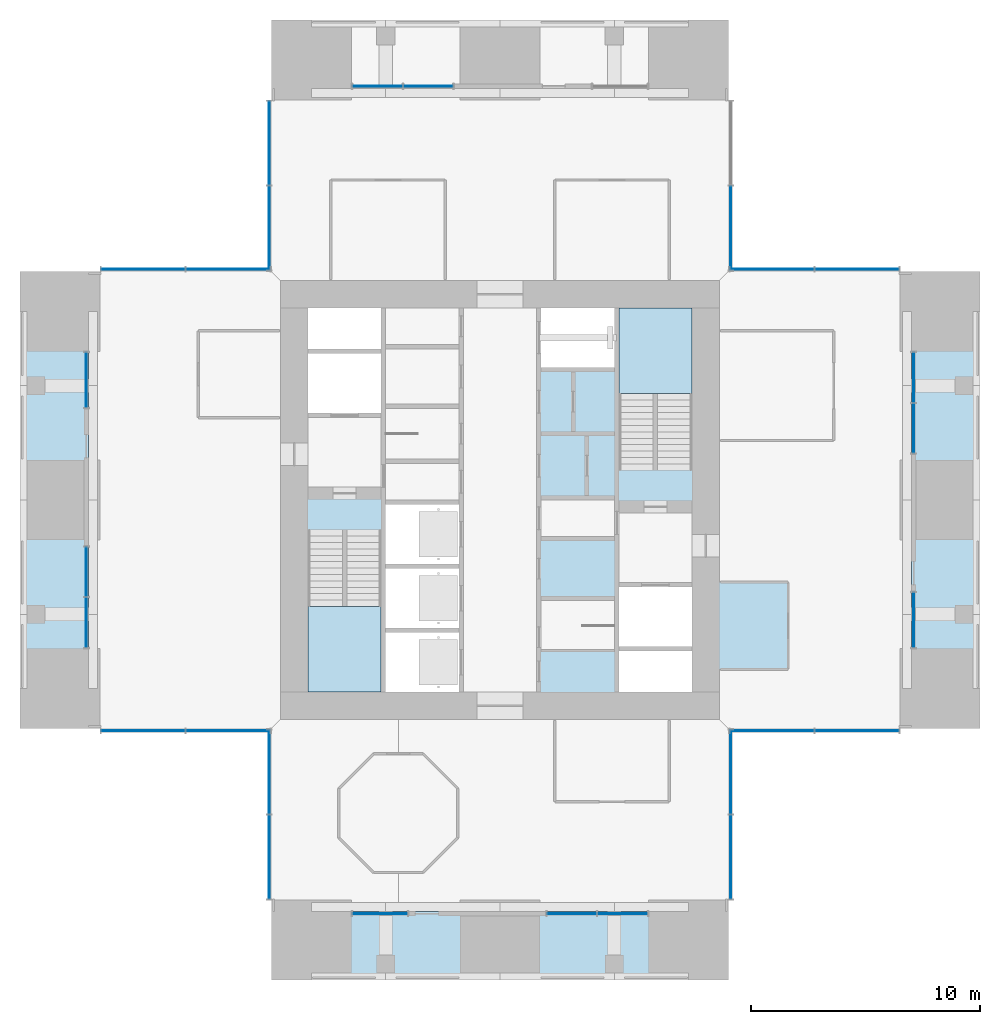
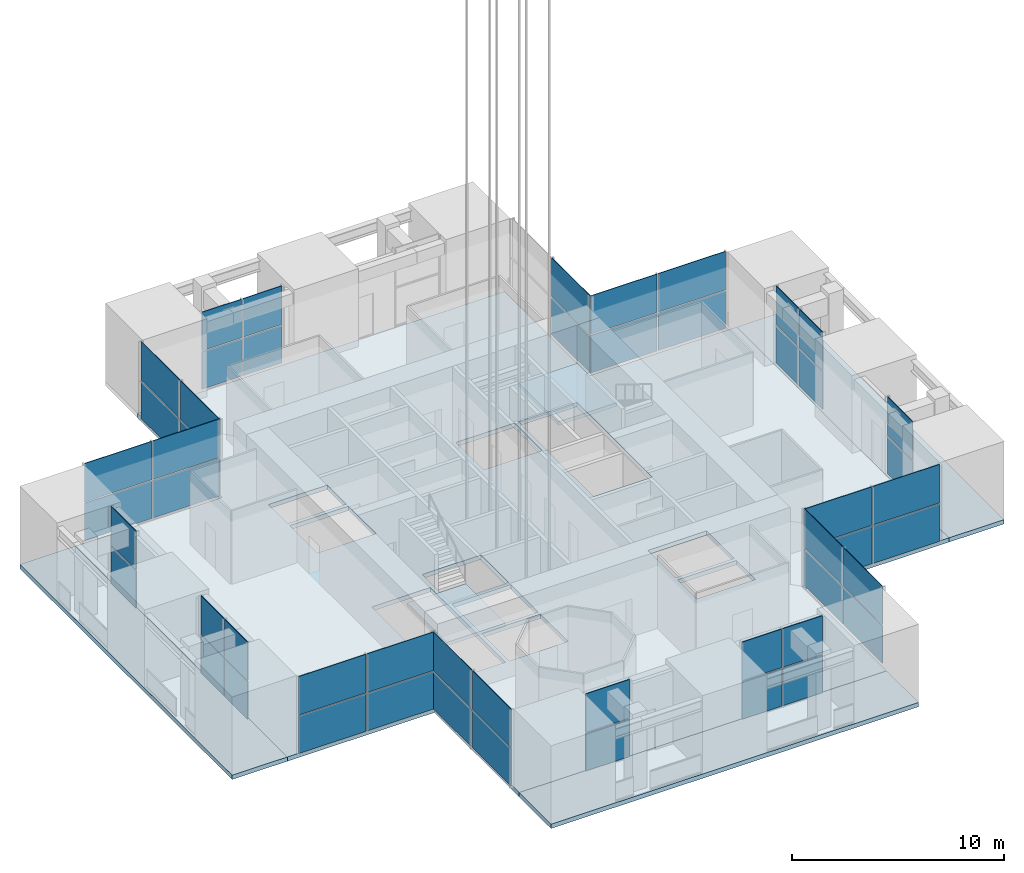
# One storey, part 4 of 17: 52 plates, 6 slabs, 17 elements without a shape of their own.
"""IFC4 building model written with IfcOpenShell, lengths in metres."""

from ifc_helpers import new_model, si_unit, direction, frame, origin, origin_2d, place, context, subcontext, project, spatial, polyline, rectangle, outline, extrude, material, layer, layer_set, type_object, element, aggregate, save


model = new_model("IFC4")

# Units and contexts
model_context = context("Model", 3, precision=1e-05, world=origin(), true_north=direction((0.0, 1.0)))
body_context = subcontext(model_context, "Body", "Model", "MODEL_VIEW")
ifc_project = project(units=[si_unit("LENGTHUNIT", "METRE"), si_unit("AREAUNIT", "SQUARE_METRE"), si_unit("VOLUMEUNIT", "CUBIC_METRE"), si_unit("PLANEANGLEUNIT", "RADIAN"), si_unit("MASSUNIT", "GRAM", prefix="KILO")], contexts=[model_context])

# Site, building, storey
site_placement = place(None, origin())
site = spatial("IfcSite", under=ifc_project, at=site_placement, CompositionType="ELEMENT")
building_placement = place(site_placement, origin())
building = spatial("IfcBuilding", under=site, at=building_placement, Name="Svetlomir Tower", CompositionType="ELEMENT")
storey_placement = place(building_placement, frame((0.0, 0.0, 239.5)))
storey = spatial("IfcBuildingStorey", under=building, at=storey_placement, Name="L57", CompositionType="ELEMENT", Elevation=239.5)

# Curtain wall, plates
ifc_material_1 = material(Name="Bronze anodised aluminium curtain wall", Category="aluminium")
curtain_wall_type = type_object("IfcCurtainWallType", Name="CURTAIN WALL CW2 SKY LOBBY", PredefinedType="NOTDEFINED", material=ifc_material_1)
curtain_wall_1_placement = place(storey_placement, origin())
curtain_wall_1 = element("IfcCurtainWall", 1, at=curtain_wall_1_placement, inside=storey, type_object=curtain_wall_type, Name="Curtain wall CW2 L57", PredefinedType="NOTDEFINED")
ifc_material_2 = material(Name="Tinted double glazed unit", Category="glass")
ifc_layer_1 = layer(ifc_material_2, 0.035888671875)
ifc_layer_set_1 = layer_set([ifc_layer_1], Name="Tinted double glazed unit")
plate_type = type_object("IfcPlateType", Name="CW2 GLAZED PANEL 36", PredefinedType="CURTAIN_PANEL", material=ifc_layer_set_1)
plate_1_placement = place(storey_placement, frame((15.75, 2.89990234375, 0.06494140625), z_axis=(0.0, 0.0, 1.0), x_axis=(1.0, 0.0, 0.0)))
plate_1 = element("IfcPlate", 2, at=plate_1_placement, type_object=plate_type, Name="CW2 panel 1.1", PredefinedType="CURTAIN_PANEL", context=body_context, shape_type="SweptSolid", body=[
    extrude(rectangle(XDim=2.3701171875, YDim=0.035888671875, at=origin_2d()), origin(), (0.0, 0.0, 1.0), 2.152587890625),
])
plate_2_placement = place(storey_placement, frame((15.75, 2.89990234375, 2.28271484375), z_axis=(0.0, 0.0, 1.0), x_axis=(1.0, 0.0, 0.0)))
plate_2 = element("IfcPlate", 3, at=plate_2_placement, type_object=plate_type, Name="CW2 panel 1.2", PredefinedType="CURTAIN_PANEL", context=body_context, shape_type="SweptSolid", body=[
    extrude(rectangle(XDim=2.3701171875, YDim=0.035888671875, at=origin_2d()), origin(), (0.0, 0.0, 1.0), 2.217529296875),
])
aggregate(curtain_wall_1, [plate_1, plate_2])

curtain_wall_2_placement = place(storey_placement, origin())
curtain_wall_2 = element("IfcCurtainWall", 4, at=curtain_wall_2_placement, inside=storey, type_object=curtain_wall_type, Name="Curtain wall CW2 L57", PredefinedType="NOTDEFINED")
plate_3_placement = place(storey_placement, frame((24.141357421875, 2.89990234375, 0.06494140625), z_axis=(0.0, 0.0, 1.0), x_axis=(1.0, 0.0, 0.0)))
plate_3 = element("IfcPlate", 5, at=plate_3_placement, type_object=plate_type, Name="CW2 panel 1.1", PredefinedType="CURTAIN_PANEL", context=body_context, shape_type="SweptSolid", body=[
    extrude(rectangle(XDim=2.152587890625, YDim=0.035888671875, at=origin_2d()), origin(), (0.0, 0.0, 1.0), 2.152587890625),
])
plate_4_placement = place(storey_placement, frame((24.141357421875, 2.89990234375, 2.28271484375), z_axis=(0.0, 0.0, 1.0), x_axis=(1.0, 0.0, 0.0)))
plate_4 = element("IfcPlate", 6, at=plate_4_placement, type_object=plate_type, Name="CW2 panel 1.2", PredefinedType="CURTAIN_PANEL", context=body_context, shape_type="SweptSolid", body=[
    extrude(rectangle(XDim=2.152587890625, YDim=0.035888671875, at=origin_2d()), origin(), (0.0, 0.0, 1.0), 2.217529296875),
])
plate_5_placement = place(storey_placement, frame((26.358642578125, 2.89990234375, 0.06494140625), z_axis=(0.0, 0.0, 1.0), x_axis=(1.0, 0.0, 0.0)))
plate_5 = element("IfcPlate", 7, at=plate_5_placement, type_object=plate_type, Name="CW2 panel 2.1", PredefinedType="CURTAIN_PANEL", context=body_context, shape_type="SweptSolid", body=[
    extrude(rectangle(XDim=2.152587890625, YDim=0.035888671875, at=origin_2d()), origin(), (0.0, 0.0, 1.0), 2.152587890625),
])
plate_6_placement = place(storey_placement, frame((26.358642578125, 2.89990234375, 2.28271484375), z_axis=(0.0, 0.0, 1.0), x_axis=(1.0, 0.0, 0.0)))
plate_6 = element("IfcPlate", 8, at=plate_6_placement, type_object=plate_type, Name="CW2 panel 2.2", PredefinedType="CURTAIN_PANEL", context=body_context, shape_type="SweptSolid", body=[
    extrude(rectangle(XDim=2.152587890625, YDim=0.035888671875, at=origin_2d()), origin(), (0.0, 0.0, 1.0), 2.217529296875),
])
aggregate(curtain_wall_2, [plate_3, plate_4, plate_5, plate_6])

curtain_wall_3_placement = place(storey_placement, origin())
curtain_wall_3 = element("IfcCurtainWall", 9, at=curtain_wall_3_placement, inside=storey, type_object=curtain_wall_type, Name="Curtain wall CW2 L57", PredefinedType="NOTDEFINED")
plate_7_placement = place(storey_placement, frame((31.10009765625, 5.391357421875, 0.06494140625), z_axis=(0.0, 0.0, 1.0), x_axis=(0.0, 1.0, 0.0)))
plate_7 = element("IfcPlate", 10, at=plate_7_placement, type_object=plate_type, Name="CW2 panel 1.1", PredefinedType="CURTAIN_PANEL", context=body_context, shape_type="SweptSolid", body=[
    extrude(rectangle(XDim=3.652587890625, YDim=0.035888671875, at=origin_2d()), origin(), (0.0, 0.0, 1.0), 2.152587890625),
])
plate_8_placement = place(storey_placement, frame((31.10009765625, 5.391357421875, 2.28271484375), z_axis=(0.0, 0.0, 1.0), x_axis=(0.0, 1.0, 0.0)))
plate_8 = element("IfcPlate", 11, at=plate_8_placement, type_object=plate_type, Name="CW2 panel 1.2", PredefinedType="CURTAIN_PANEL", context=body_context, shape_type="SweptSolid", body=[
    extrude(rectangle(XDim=3.652587890625, YDim=0.035888671875, at=origin_2d()), origin(), (0.0, 0.0, 1.0), 2.217529296875),
])
plate_9_placement = place(storey_placement, frame((31.10009765625, 9.108642578125, 0.06494140625), z_axis=(0.0, 0.0, 1.0), x_axis=(0.0, 1.0, 0.0)))
plate_9 = element("IfcPlate", 12, at=plate_9_placement, type_object=plate_type, Name="CW2 panel 2.1", PredefinedType="CURTAIN_PANEL", context=body_context, shape_type="SweptSolid", body=[
    extrude(rectangle(XDim=3.652587890625, YDim=0.035888671875, at=origin_2d()), origin(), (0.0, 0.0, 1.0), 2.152587890625),
])
plate_10_placement = place(storey_placement, frame((31.10009765625, 9.108642578125, 2.28271484375), z_axis=(0.0, 0.0, 1.0), x_axis=(0.0, 1.0, 0.0)))
plate_10 = element("IfcPlate", 13, at=plate_10_placement, type_object=plate_type, Name="CW2 panel 2.2", PredefinedType="CURTAIN_PANEL", context=body_context, shape_type="SweptSolid", body=[
    extrude(rectangle(XDim=3.652587890625, YDim=0.035888671875, at=origin_2d()), origin(), (0.0, 0.0, 1.0), 2.217529296875),
])
aggregate(curtain_wall_3, [plate_7, plate_8, plate_9, plate_10])

curtain_wall_4_placement = place(storey_placement, origin())
curtain_wall_4 = element("IfcCurtainWall", 14, at=curtain_wall_4_placement, inside=storey, type_object=curtain_wall_type, Name="Curtain wall CW2 L57", PredefinedType="NOTDEFINED")
plate_11_placement = place(storey_placement, frame((32.891357421875, 10.89990234375, 0.06494140625), z_axis=(0.0, 0.0, 1.0), x_axis=(1.0, 0.0, 0.0)))
plate_11 = element("IfcPlate", 15, at=plate_11_placement, type_object=plate_type, Name="CW2 panel 1.1", PredefinedType="CURTAIN_PANEL", context=body_context, shape_type="SweptSolid", body=[
    extrude(rectangle(XDim=3.652587890625, YDim=0.035888671875, at=origin_2d()), origin(), (0.0, 0.0, 1.0), 2.152587890625),
])
plate_12_placement = place(storey_placement, frame((32.891357421875, 10.89990234375, 2.28271484375), z_axis=(0.0, 0.0, 1.0), x_axis=(1.0, 0.0, 0.0)))
plate_12 = element("IfcPlate", 16, at=plate_12_placement, type_object=plate_type, Name="CW2 panel 1.2", PredefinedType="CURTAIN_PANEL", context=body_context, shape_type="SweptSolid", body=[
    extrude(rectangle(XDim=3.652587890625, YDim=0.035888671875, at=origin_2d()), origin(), (0.0, 0.0, 1.0), 2.217529296875),
])
plate_13_placement = place(storey_placement, frame((36.608642578125, 10.89990234375, 0.06494140625), z_axis=(0.0, 0.0, 1.0), x_axis=(1.0, 0.0, 0.0)))
plate_13 = element("IfcPlate", 17, at=plate_13_placement, type_object=plate_type, Name="CW2 panel 2.1", PredefinedType="CURTAIN_PANEL", context=body_context, shape_type="SweptSolid", body=[
    extrude(rectangle(XDim=3.652587890625, YDim=0.035888671875, at=origin_2d()), origin(), (0.0, 0.0, 1.0), 2.152587890625),
])
plate_14_placement = place(storey_placement, frame((36.608642578125, 10.89990234375, 2.28271484375), z_axis=(0.0, 0.0, 1.0), x_axis=(1.0, 0.0, 0.0)))
plate_14 = element("IfcPlate", 18, at=plate_14_placement, type_object=plate_type, Name="CW2 panel 2.2", PredefinedType="CURTAIN_PANEL", context=body_context, shape_type="SweptSolid", body=[
    extrude(rectangle(XDim=3.652587890625, YDim=0.035888671875, at=origin_2d()), origin(), (0.0, 0.0, 1.0), 2.217529296875),
])
aggregate(curtain_wall_4, [plate_11, plate_12, plate_13, plate_14])

curtain_wall_5_placement = place(storey_placement, origin())
curtain_wall_5 = element("IfcCurtainWall", 19, at=curtain_wall_5_placement, inside=storey, type_object=curtain_wall_type, Name="Curtain wall CW2 L57", PredefinedType="NOTDEFINED")
plate_15_placement = place(storey_placement, frame((39.10009765625, 15.75, 0.06494140625), z_axis=(0.0, 0.0, 1.0), x_axis=(0.0, 1.0, 0.0)))
plate_15 = element("IfcPlate", 20, at=plate_15_placement, type_object=plate_type, Name="CW2 panel 1.1", PredefinedType="CURTAIN_PANEL", context=body_context, shape_type="SweptSolid", body=[
    extrude(rectangle(XDim=2.3701171875, YDim=0.035888671875, at=origin_2d()), origin(), (0.0, 0.0, 1.0), 2.152587890625),
])
plate_16_placement = place(storey_placement, frame((39.10009765625, 15.75, 2.28271484375), z_axis=(0.0, 0.0, 1.0), x_axis=(0.0, 1.0, 0.0)))
plate_16 = element("IfcPlate", 21, at=plate_16_placement, type_object=plate_type, Name="CW2 panel 1.2", PredefinedType="CURTAIN_PANEL", context=body_context, shape_type="SweptSolid", body=[
    extrude(rectangle(XDim=2.3701171875, YDim=0.035888671875, at=origin_2d()), origin(), (0.0, 0.0, 1.0), 2.217529296875),
])
aggregate(curtain_wall_5, [plate_15, plate_16])

curtain_wall_6_placement = place(storey_placement, origin())
curtain_wall_6 = element("IfcCurtainWall", 22, at=curtain_wall_6_placement, inside=storey, type_object=curtain_wall_type, Name="Curtain wall CW2 L57", PredefinedType="NOTDEFINED")
plate_17_placement = place(storey_placement, frame((39.10009765625, 24.141357421875, 0.06494140625), z_axis=(0.0, 0.0, 1.0), x_axis=(0.0, 1.0, 0.0)))
plate_17 = element("IfcPlate", 23, at=plate_17_placement, type_object=plate_type, Name="CW2 panel 1.1", PredefinedType="CURTAIN_PANEL", context=body_context, shape_type="SweptSolid", body=[
    extrude(rectangle(XDim=2.152587890625, YDim=0.035888671875, at=origin_2d()), origin(), (0.0, 0.0, 1.0), 2.152587890625),
])
plate_18_placement = place(storey_placement, frame((39.10009765625, 24.141357421875, 2.28271484375), z_axis=(0.0, 0.0, 1.0), x_axis=(0.0, 1.0, 0.0)))
plate_18 = element("IfcPlate", 24, at=plate_18_placement, type_object=plate_type, Name="CW2 panel 1.2", PredefinedType="CURTAIN_PANEL", context=body_context, shape_type="SweptSolid", body=[
    extrude(rectangle(XDim=2.152587890625, YDim=0.035888671875, at=origin_2d()), origin(), (0.0, 0.0, 1.0), 2.217529296875),
])
plate_19_placement = place(storey_placement, frame((39.10009765625, 26.358642578125, 0.06494140625), z_axis=(0.0, 0.0, 1.0), x_axis=(0.0, 1.0, 0.0)))
plate_19 = element("IfcPlate", 25, at=plate_19_placement, type_object=plate_type, Name="CW2 panel 2.1", PredefinedType="CURTAIN_PANEL", context=body_context, shape_type="SweptSolid", body=[
    extrude(rectangle(XDim=2.152587890625, YDim=0.035888671875, at=origin_2d()), origin(), (0.0, 0.0, 1.0), 2.152587890625),
])
plate_20_placement = place(storey_placement, frame((39.10009765625, 26.358642578125, 2.28271484375), z_axis=(0.0, 0.0, 1.0), x_axis=(0.0, 1.0, 0.0)))
plate_20 = element("IfcPlate", 26, at=plate_20_placement, type_object=plate_type, Name="CW2 panel 2.2", PredefinedType="CURTAIN_PANEL", context=body_context, shape_type="SweptSolid", body=[
    extrude(rectangle(XDim=2.152587890625, YDim=0.035888671875, at=origin_2d()), origin(), (0.0, 0.0, 1.0), 2.217529296875),
])
aggregate(curtain_wall_6, [plate_17, plate_18, plate_19, plate_20])

curtain_wall_7_placement = place(storey_placement, origin())
curtain_wall_7 = element("IfcCurtainWall", 27, at=curtain_wall_7_placement, inside=storey, type_object=curtain_wall_type, Name="Curtain wall CW2 L57", PredefinedType="NOTDEFINED")
plate_21_placement = place(storey_placement, frame((36.608642578125, 31.10009765625, 0.06494140625), z_axis=(0.0, 0.0, 1.0), x_axis=(-1.0, 0.0, 0.0)))
plate_21 = element("IfcPlate", 28, at=plate_21_placement, type_object=plate_type, Name="CW2 panel 1.1", PredefinedType="CURTAIN_PANEL", context=body_context, shape_type="SweptSolid", body=[
    extrude(rectangle(XDim=3.652587890625, YDim=0.035888671875, at=origin_2d()), origin(), (0.0, 0.0, 1.0), 2.152587890625),
])
plate_22_placement = place(storey_placement, frame((36.608642578125, 31.10009765625, 2.28271484375), z_axis=(0.0, 0.0, 1.0), x_axis=(-1.0, 0.0, 0.0)))
plate_22 = element("IfcPlate", 29, at=plate_22_placement, type_object=plate_type, Name="CW2 panel 1.2", PredefinedType="CURTAIN_PANEL", context=body_context, shape_type="SweptSolid", body=[
    extrude(rectangle(XDim=3.652587890625, YDim=0.035888671875, at=origin_2d()), origin(), (0.0, 0.0, 1.0), 2.217529296875),
])
plate_23_placement = place(storey_placement, frame((32.891357421875, 31.10009765625, 0.06494140625), z_axis=(0.0, 0.0, 1.0), x_axis=(-1.0, 0.0, 0.0)))
plate_23 = element("IfcPlate", 30, at=plate_23_placement, type_object=plate_type, Name="CW2 panel 2.1", PredefinedType="CURTAIN_PANEL", context=body_context, shape_type="SweptSolid", body=[
    extrude(rectangle(XDim=3.652587890625, YDim=0.035888671875, at=origin_2d()), origin(), (0.0, 0.0, 1.0), 2.152587890625),
])
plate_24_placement = place(storey_placement, frame((32.891357421875, 31.10009765625, 2.28271484375), z_axis=(0.0, 0.0, 1.0), x_axis=(-1.0, 0.0, 0.0)))
plate_24 = element("IfcPlate", 31, at=plate_24_placement, type_object=plate_type, Name="CW2 panel 2.2", PredefinedType="CURTAIN_PANEL", context=body_context, shape_type="SweptSolid", body=[
    extrude(rectangle(XDim=3.652587890625, YDim=0.035888671875, at=origin_2d()), origin(), (0.0, 0.0, 1.0), 2.217529296875),
])
aggregate(curtain_wall_7, [plate_21, plate_22, plate_23, plate_24])

curtain_wall_8_placement = place(storey_placement, origin())
curtain_wall_8 = element("IfcCurtainWall", 32, at=curtain_wall_8_placement, inside=storey, type_object=curtain_wall_type, Name="Curtain wall CW2 L57", PredefinedType="NOTDEFINED")
plate_25_placement = place(storey_placement, frame((31.10009765625, 32.891357421875, 0.06494140625), z_axis=(0.0, 0.0, 1.0), x_axis=(0.0, 1.0, 0.0)))
plate_25 = element("IfcPlate", 33, at=plate_25_placement, type_object=plate_type, Name="CW2 panel 1.1", PredefinedType="CURTAIN_PANEL", context=body_context, shape_type="SweptSolid", body=[
    extrude(rectangle(XDim=3.652587890625, YDim=0.035888671875, at=origin_2d()), origin(), (0.0, 0.0, 1.0), 2.152587890625),
])
plate_26_placement = place(storey_placement, frame((31.10009765625, 32.891357421875, 2.28271484375), z_axis=(0.0, 0.0, 1.0), x_axis=(0.0, 1.0, 0.0)))
plate_26 = element("IfcPlate", 34, at=plate_26_placement, type_object=plate_type, Name="CW2 panel 1.2", PredefinedType="CURTAIN_PANEL", context=body_context, shape_type="SweptSolid", body=[
    extrude(rectangle(XDim=3.652587890625, YDim=0.035888671875, at=origin_2d()), origin(), (0.0, 0.0, 1.0), 2.217529296875),
])
aggregate(curtain_wall_8, [plate_25, plate_26])

curtain_wall_9_placement = place(storey_placement, origin())
curtain_wall_9 = element("IfcCurtainWall", 35, at=curtain_wall_9_placement, inside=storey, type_object=curtain_wall_type, Name="Curtain wall CW2 L57", PredefinedType="NOTDEFINED")
plate_27_placement = place(storey_placement, frame((17.858642578125, 39.10009765625, 0.06494140625), z_axis=(0.0, 0.0, 1.0), x_axis=(-1.0, 0.0, 0.0)))
plate_27 = element("IfcPlate", 36, at=plate_27_placement, type_object=plate_type, Name="CW2 panel 1.1", PredefinedType="CURTAIN_PANEL", context=body_context, shape_type="SweptSolid", body=[
    extrude(rectangle(XDim=2.152587890625, YDim=0.035888671875, at=origin_2d()), origin(), (0.0, 0.0, 1.0), 2.152587890625),
])
plate_28_placement = place(storey_placement, frame((17.858642578125, 39.10009765625, 2.28271484375), z_axis=(0.0, 0.0, 1.0), x_axis=(-1.0, 0.0, 0.0)))
plate_28 = element("IfcPlate", 37, at=plate_28_placement, type_object=plate_type, Name="CW2 panel 1.2", PredefinedType="CURTAIN_PANEL", context=body_context, shape_type="SweptSolid", body=[
    extrude(rectangle(XDim=2.152587890625, YDim=0.035888671875, at=origin_2d()), origin(), (0.0, 0.0, 1.0), 2.217529296875),
])
plate_29_placement = place(storey_placement, frame((15.641357421875, 39.10009765625, 0.06494140625), z_axis=(0.0, 0.0, 1.0), x_axis=(-1.0, 0.0, 0.0)))
plate_29 = element("IfcPlate", 38, at=plate_29_placement, type_object=plate_type, Name="CW2 panel 2.1", PredefinedType="CURTAIN_PANEL", context=body_context, shape_type="SweptSolid", body=[
    extrude(rectangle(XDim=2.152587890625, YDim=0.035888671875, at=origin_2d()), origin(), (0.0, 0.0, 1.0), 2.152587890625),
])
plate_30_placement = place(storey_placement, frame((15.641357421875, 39.10009765625, 2.28271484375), z_axis=(0.0, 0.0, 1.0), x_axis=(-1.0, 0.0, 0.0)))
plate_30 = element("IfcPlate", 39, at=plate_30_placement, type_object=plate_type, Name="CW2 panel 2.2", PredefinedType="CURTAIN_PANEL", context=body_context, shape_type="SweptSolid", body=[
    extrude(rectangle(XDim=2.152587890625, YDim=0.035888671875, at=origin_2d()), origin(), (0.0, 0.0, 1.0), 2.217529296875),
])
aggregate(curtain_wall_9, [plate_27, plate_28, plate_29, plate_30])

curtain_wall_10_placement = place(storey_placement, origin())
curtain_wall_10 = element("IfcCurtainWall", 40, at=curtain_wall_10_placement, inside=storey, type_object=curtain_wall_type, Name="Curtain wall CW2 L57", PredefinedType="NOTDEFINED")
plate_31_placement = place(storey_placement, frame((10.89990234375, 36.608642578125, 0.06494140625), z_axis=(0.0, 0.0, 1.0), x_axis=(0.0, -1.0, 0.0)))
plate_31 = element("IfcPlate", 41, at=plate_31_placement, type_object=plate_type, Name="CW2 panel 1.1", PredefinedType="CURTAIN_PANEL", context=body_context, shape_type="SweptSolid", body=[
    extrude(rectangle(XDim=3.652587890625, YDim=0.035888671875, at=origin_2d()), origin(), (0.0, 0.0, 1.0), 2.152587890625),
])
plate_32_placement = place(storey_placement, frame((10.89990234375, 36.608642578125, 2.28271484375), z_axis=(0.0, 0.0, 1.0), x_axis=(0.0, -1.0, 0.0)))
plate_32 = element("IfcPlate", 42, at=plate_32_placement, type_object=plate_type, Name="CW2 panel 1.2", PredefinedType="CURTAIN_PANEL", context=body_context, shape_type="SweptSolid", body=[
    extrude(rectangle(XDim=3.652587890625, YDim=0.035888671875, at=origin_2d()), origin(), (0.0, 0.0, 1.0), 2.217529296875),
])
plate_33_placement = place(storey_placement, frame((10.89990234375, 32.891357421875, 0.06494140625), z_axis=(0.0, 0.0, 1.0), x_axis=(0.0, -1.0, 0.0)))
plate_33 = element("IfcPlate", 43, at=plate_33_placement, type_object=plate_type, Name="CW2 panel 2.1", PredefinedType="CURTAIN_PANEL", context=body_context, shape_type="SweptSolid", body=[
    extrude(rectangle(XDim=3.652587890625, YDim=0.035888671875, at=origin_2d()), origin(), (0.0, 0.0, 1.0), 2.152587890625),
])
plate_34_placement = place(storey_placement, frame((10.89990234375, 32.891357421875, 2.28271484375), z_axis=(0.0, 0.0, 1.0), x_axis=(0.0, -1.0, 0.0)))
plate_34 = element("IfcPlate", 44, at=plate_34_placement, type_object=plate_type, Name="CW2 panel 2.2", PredefinedType="CURTAIN_PANEL", context=body_context, shape_type="SweptSolid", body=[
    extrude(rectangle(XDim=3.652587890625, YDim=0.035888671875, at=origin_2d()), origin(), (0.0, 0.0, 1.0), 2.217529296875),
])
aggregate(curtain_wall_10, [plate_31, plate_32, plate_33, plate_34])

curtain_wall_11_placement = place(storey_placement, origin())
curtain_wall_11 = element("IfcCurtainWall", 45, at=curtain_wall_11_placement, inside=storey, type_object=curtain_wall_type, Name="Curtain wall CW2 L57", PredefinedType="NOTDEFINED")
plate_35_placement = place(storey_placement, frame((9.108642578125, 31.10009765625, 0.06494140625), z_axis=(0.0, 0.0, 1.0), x_axis=(-1.0, 0.0, 0.0)))
plate_35 = element("IfcPlate", 46, at=plate_35_placement, type_object=plate_type, Name="CW2 panel 1.1", PredefinedType="CURTAIN_PANEL", context=body_context, shape_type="SweptSolid", body=[
    extrude(rectangle(XDim=3.652587890625, YDim=0.035888671875, at=origin_2d()), origin(), (0.0, 0.0, 1.0), 2.152587890625),
])
plate_36_placement = place(storey_placement, frame((9.108642578125, 31.10009765625, 2.28271484375), z_axis=(0.0, 0.0, 1.0), x_axis=(-1.0, 0.0, 0.0)))
plate_36 = element("IfcPlate", 47, at=plate_36_placement, type_object=plate_type, Name="CW2 panel 1.2", PredefinedType="CURTAIN_PANEL", context=body_context, shape_type="SweptSolid", body=[
    extrude(rectangle(XDim=3.652587890625, YDim=0.035888671875, at=origin_2d()), origin(), (0.0, 0.0, 1.0), 2.217529296875),
])
plate_37_placement = place(storey_placement, frame((5.391357421875, 31.10009765625, 0.06494140625), z_axis=(0.0, 0.0, 1.0), x_axis=(-1.0, 0.0, 0.0)))
plate_37 = element("IfcPlate", 48, at=plate_37_placement, type_object=plate_type, Name="CW2 panel 2.1", PredefinedType="CURTAIN_PANEL", context=body_context, shape_type="SweptSolid", body=[
    extrude(rectangle(XDim=3.652587890625, YDim=0.035888671875, at=origin_2d()), origin(), (0.0, 0.0, 1.0), 2.152587890625),
])
plate_38_placement = place(storey_placement, frame((5.391357421875, 31.10009765625, 2.28271484375), z_axis=(0.0, 0.0, 1.0), x_axis=(-1.0, 0.0, 0.0)))
plate_38 = element("IfcPlate", 49, at=plate_38_placement, type_object=plate_type, Name="CW2 panel 2.2", PredefinedType="CURTAIN_PANEL", context=body_context, shape_type="SweptSolid", body=[
    extrude(rectangle(XDim=3.652587890625, YDim=0.035888671875, at=origin_2d()), origin(), (0.0, 0.0, 1.0), 2.217529296875),
])
aggregate(curtain_wall_11, [plate_35, plate_36, plate_37, plate_38])

curtain_wall_12_placement = place(storey_placement, origin())
curtain_wall_12 = element("IfcCurtainWall", 50, at=curtain_wall_12_placement, inside=storey, type_object=curtain_wall_type, Name="Curtain wall CW2 L57", PredefinedType="NOTDEFINED")
plate_39_placement = place(storey_placement, frame((2.89990234375, 26.25, 0.06494140625), z_axis=(0.0, 0.0, 1.0), x_axis=(0.0, -1.0, 0.0)))
plate_39 = element("IfcPlate", 51, at=plate_39_placement, type_object=plate_type, Name="CW2 panel 1.1", PredefinedType="CURTAIN_PANEL", context=body_context, shape_type="SweptSolid", body=[
    extrude(rectangle(XDim=2.3701171875, YDim=0.035888671875, at=origin_2d()), origin(), (0.0, 0.0, 1.0), 2.152587890625),
])
plate_40_placement = place(storey_placement, frame((2.89990234375, 26.25, 2.28271484375), z_axis=(0.0, 0.0, 1.0), x_axis=(0.0, -1.0, 0.0)))
plate_40 = element("IfcPlate", 52, at=plate_40_placement, type_object=plate_type, Name="CW2 panel 1.2", PredefinedType="CURTAIN_PANEL", context=body_context, shape_type="SweptSolid", body=[
    extrude(rectangle(XDim=2.3701171875, YDim=0.035888671875, at=origin_2d()), origin(), (0.0, 0.0, 1.0), 2.217529296875),
])
aggregate(curtain_wall_12, [plate_39, plate_40])

curtain_wall_13_placement = place(storey_placement, origin())
curtain_wall_13 = element("IfcCurtainWall", 53, at=curtain_wall_13_placement, inside=storey, type_object=curtain_wall_type, Name="Curtain wall CW2 L57", PredefinedType="NOTDEFINED")
plate_41_placement = place(storey_placement, frame((2.89990234375, 17.858642578125, 0.06494140625), z_axis=(0.0, 0.0, 1.0), x_axis=(0.0, -1.0, 0.0)))
plate_41 = element("IfcPlate", 54, at=plate_41_placement, type_object=plate_type, Name="CW2 panel 1.1", PredefinedType="CURTAIN_PANEL", context=body_context, shape_type="SweptSolid", body=[
    extrude(rectangle(XDim=2.152587890625, YDim=0.035888671875, at=origin_2d()), origin(), (0.0, 0.0, 1.0), 2.152587890625),
])
plate_42_placement = place(storey_placement, frame((2.89990234375, 17.858642578125, 2.28271484375), z_axis=(0.0, 0.0, 1.0), x_axis=(0.0, -1.0, 0.0)))
plate_42 = element("IfcPlate", 55, at=plate_42_placement, type_object=plate_type, Name="CW2 panel 1.2", PredefinedType="CURTAIN_PANEL", context=body_context, shape_type="SweptSolid", body=[
    extrude(rectangle(XDim=2.152587890625, YDim=0.035888671875, at=origin_2d()), origin(), (0.0, 0.0, 1.0), 2.217529296875),
])
plate_43_placement = place(storey_placement, frame((2.89990234375, 15.641357421875, 0.06494140625), z_axis=(0.0, 0.0, 1.0), x_axis=(0.0, -1.0, 0.0)))
plate_43 = element("IfcPlate", 56, at=plate_43_placement, type_object=plate_type, Name="CW2 panel 2.1", PredefinedType="CURTAIN_PANEL", context=body_context, shape_type="SweptSolid", body=[
    extrude(rectangle(XDim=2.152587890625, YDim=0.035888671875, at=origin_2d()), origin(), (0.0, 0.0, 1.0), 2.152587890625),
])
plate_44_placement = place(storey_placement, frame((2.89990234375, 15.641357421875, 2.28271484375), z_axis=(0.0, 0.0, 1.0), x_axis=(0.0, -1.0, 0.0)))
plate_44 = element("IfcPlate", 57, at=plate_44_placement, type_object=plate_type, Name="CW2 panel 2.2", PredefinedType="CURTAIN_PANEL", context=body_context, shape_type="SweptSolid", body=[
    extrude(rectangle(XDim=2.152587890625, YDim=0.035888671875, at=origin_2d()), origin(), (0.0, 0.0, 1.0), 2.217529296875),
])
aggregate(curtain_wall_13, [plate_41, plate_42, plate_43, plate_44])

curtain_wall_14_placement = place(storey_placement, origin())
curtain_wall_14 = element("IfcCurtainWall", 58, at=curtain_wall_14_placement, inside=storey, type_object=curtain_wall_type, Name="Curtain wall CW2 L57", PredefinedType="NOTDEFINED")
plate_45_placement = place(storey_placement, frame((5.391357421875, 10.89990234375, 0.06494140625), z_axis=(0.0, 0.0, 1.0), x_axis=(1.0, 0.0, 0.0)))
plate_45 = element("IfcPlate", 59, at=plate_45_placement, type_object=plate_type, Name="CW2 panel 1.1", PredefinedType="CURTAIN_PANEL", context=body_context, shape_type="SweptSolid", body=[
    extrude(rectangle(XDim=3.652587890625, YDim=0.035888671875, at=origin_2d()), origin(), (0.0, 0.0, 1.0), 2.152587890625),
])
plate_46_placement = place(storey_placement, frame((5.391357421875, 10.89990234375, 2.28271484375), z_axis=(0.0, 0.0, 1.0), x_axis=(1.0, 0.0, 0.0)))
plate_46 = element("IfcPlate", 60, at=plate_46_placement, type_object=plate_type, Name="CW2 panel 1.2", PredefinedType="CURTAIN_PANEL", context=body_context, shape_type="SweptSolid", body=[
    extrude(rectangle(XDim=3.652587890625, YDim=0.035888671875, at=origin_2d()), origin(), (0.0, 0.0, 1.0), 2.217529296875),
])
plate_47_placement = place(storey_placement, frame((9.108642578125, 10.89990234375, 0.06494140625), z_axis=(0.0, 0.0, 1.0), x_axis=(1.0, 0.0, 0.0)))
plate_47 = element("IfcPlate", 61, at=plate_47_placement, type_object=plate_type, Name="CW2 panel 2.1", PredefinedType="CURTAIN_PANEL", context=body_context, shape_type="SweptSolid", body=[
    extrude(rectangle(XDim=3.652587890625, YDim=0.035888671875, at=origin_2d()), origin(), (0.0, 0.0, 1.0), 2.152587890625),
])
plate_48_placement = place(storey_placement, frame((9.108642578125, 10.89990234375, 2.28271484375), z_axis=(0.0, 0.0, 1.0), x_axis=(1.0, 0.0, 0.0)))
plate_48 = element("IfcPlate", 62, at=plate_48_placement, type_object=plate_type, Name="CW2 panel 2.2", PredefinedType="CURTAIN_PANEL", context=body_context, shape_type="SweptSolid", body=[
    extrude(rectangle(XDim=3.652587890625, YDim=0.035888671875, at=origin_2d()), origin(), (0.0, 0.0, 1.0), 2.217529296875),
])
aggregate(curtain_wall_14, [plate_45, plate_46, plate_47, plate_48])

curtain_wall_15_placement = place(storey_placement, origin())
curtain_wall_15 = element("IfcCurtainWall", 63, at=curtain_wall_15_placement, inside=storey, type_object=curtain_wall_type, Name="Curtain wall CW2 L57", PredefinedType="NOTDEFINED")
plate_49_placement = place(storey_placement, frame((10.89990234375, 9.108642578125, 0.06494140625), z_axis=(0.0, 0.0, 1.0), x_axis=(0.0, -1.0, 0.0)))
plate_49 = element("IfcPlate", 64, at=plate_49_placement, type_object=plate_type, Name="CW2 panel 1.1", PredefinedType="CURTAIN_PANEL", context=body_context, shape_type="SweptSolid", body=[
    extrude(rectangle(XDim=3.652587890625, YDim=0.035888671875, at=origin_2d()), origin(), (0.0, 0.0, 1.0), 2.152587890625),
])
plate_50_placement = place(storey_placement, frame((10.89990234375, 9.108642578125, 2.28271484375), z_axis=(0.0, 0.0, 1.0), x_axis=(0.0, -1.0, 0.0)))
plate_50 = element("IfcPlate", 65, at=plate_50_placement, type_object=plate_type, Name="CW2 panel 1.2", PredefinedType="CURTAIN_PANEL", context=body_context, shape_type="SweptSolid", body=[
    extrude(rectangle(XDim=3.652587890625, YDim=0.035888671875, at=origin_2d()), origin(), (0.0, 0.0, 1.0), 2.217529296875),
])
plate_51_placement = place(storey_placement, frame((10.89990234375, 5.391357421875, 0.06494140625), z_axis=(0.0, 0.0, 1.0), x_axis=(0.0, -1.0, 0.0)))
plate_51 = element("IfcPlate", 66, at=plate_51_placement, type_object=plate_type, Name="CW2 panel 2.1", PredefinedType="CURTAIN_PANEL", context=body_context, shape_type="SweptSolid", body=[
    extrude(rectangle(XDim=3.652587890625, YDim=0.035888671875, at=origin_2d()), origin(), (0.0, 0.0, 1.0), 2.152587890625),
])
plate_52_placement = place(storey_placement, frame((10.89990234375, 5.391357421875, 2.28271484375), z_axis=(0.0, 0.0, 1.0), x_axis=(0.0, -1.0, 0.0)))
plate_52 = element("IfcPlate", 67, at=plate_52_placement, type_object=plate_type, Name="CW2 panel 2.2", PredefinedType="CURTAIN_PANEL", context=body_context, shape_type="SweptSolid", body=[
    extrude(rectangle(XDim=3.652587890625, YDim=0.035888671875, at=origin_2d()), origin(), (0.0, 0.0, 1.0), 2.217529296875),
])
aggregate(curtain_wall_15, [plate_49, plate_50, plate_51, plate_52])

# Slabs
ifc_material_3 = material(Name="Concrete C60/75", Category="concrete")
ifc_layer_2 = layer(ifc_material_3, 0.25)
ifc_layer_set_2 = layer_set([ifc_layer_2], Name="Concrete C60/75")
slab_type_1 = type_object("IfcSlabType", Name="FLOOR SLAB 250", PredefinedType="FLOOR", material=ifc_layer_set_2)
slab_1_placement = place(storey_placement, frame((0.0, 0.0, -0.25)))
element("IfcSlab", 68, at=slab_1_placement, inside=storey, type_object=slab_type_1, Name="L57 floor slab", PredefinedType="FLOOR", context=body_context, shape_type="SweptSolid", body=[
    extrude(outline(polyline([(11.0, 3.0), (31.0, 3.0), (31.0, 11.0), (39.0, 11.0), (39.0, 31.0), (31.0, 31.0), (31.0, 39.0), (11.0, 39.0), (11.0, 31.0), (3.0, 31.0), (3.0, 11.0), (11.0, 11.0), (11.0, 3.0)]), holes=[polyline([(12.60009765625, 24.800048828125), (15.800048828125, 24.800048828125), (15.800048828125, 27.39990234375), (12.60009765625, 27.39990234375), (12.60009765625, 24.800048828125)]), polyline([(26.199951171875, 14.60009765625), (29.39990234375, 14.60009765625), (29.39990234375, 17.199951171875), (26.199951171875, 17.199951171875), (26.199951171875, 14.60009765625)]), polyline([(16.0, 12.60009765625), (19.199951171875, 12.60009765625), (19.199951171875, 15.199951171875), (16.0, 15.199951171875), (16.0, 12.60009765625)]), polyline([(16.0, 15.39990234375), (19.199951171875, 15.39990234375), (19.199951171875, 18.0), (16.0, 18.0), (16.0, 15.39990234375)]), polyline([(16.0, 18.199951171875), (19.199951171875, 18.199951171875), (19.199951171875, 20.800048828125), (16.0, 20.800048828125), (16.0, 18.199951171875)]), polyline([(22.800048828125, 26.800048828125), (26.0, 26.800048828125), (26.0, 29.39990234375), (22.800048828125, 29.39990234375), (22.800048828125, 26.800048828125)]), polyline([(12.60009765625, 27.60009765625), (15.800048828125, 27.60009765625), (15.800048828125, 29.39990234375), (12.60009765625, 29.39990234375), (12.60009765625, 27.60009765625)]), polyline([(26.199951171875, 12.60009765625), (29.39990234375, 12.60009765625), (29.39990234375, 14.39990234375), (26.199951171875, 14.39990234375), (26.199951171875, 12.60009765625)]), polyline([(12.60009765625, 12.60009765625), (15.800048828125, 12.60009765625), (15.800048828125, 19.679931640625), (12.60009765625, 19.679931640625), (12.60009765625, 12.60009765625)]), polyline([(26.199951171875, 22.320068359375), (29.39990234375, 22.320068359375), (29.39990234375, 29.39990234375), (26.199951171875, 29.39990234375), (26.199951171875, 22.320068359375)])]), origin(), (0.0, 0.0, 1.0), 0.25),
])
ifc_material_4 = material(Name="Concrete C60/75", Category="concrete")
ifc_layer_3 = layer(ifc_material_4, 0.25)
ifc_layer_set_3 = layer_set([ifc_layer_3], Name="Concrete C60/75")
slab_type_2 = type_object("IfcSlabType", Name="PLANTED LOGGIA SLAB 250", PredefinedType="FLOOR", material=ifc_layer_set_3)
slab_2_placement = place(storey_placement, frame((0.0, 0.0, -0.25)))
element("IfcSlab", 69, at=slab_2_placement, inside=storey, type_object=slab_type_2, Name="L57 S planted loggia", PredefinedType="FLOOR", context=body_context, shape_type="SweptSolid", body=[
    extrude(outline(polyline([(11.0, 0.0), (31.0, 0.0), (31.0, 3.0), (11.0, 3.0), (11.0, 0.0)])), origin(), (0.0, 0.0, 1.0), 0.25),
])
slab_3_placement = place(storey_placement, frame((0.0, 0.0, -0.25)))
element("IfcSlab", 70, at=slab_3_placement, inside=storey, type_object=slab_type_2, Name="L57 E planted loggia", PredefinedType="FLOOR", context=body_context, shape_type="SweptSolid", body=[
    extrude(outline(polyline([(39.0, 11.0), (42.0, 11.0), (42.0, 31.0), (39.0, 31.0), (39.0, 11.0)])), origin(), (0.0, 0.0, 1.0), 0.25),
])
slab_4_placement = place(storey_placement, frame((0.0, 0.0, -0.25)))
element("IfcSlab", 71, at=slab_4_placement, inside=storey, type_object=slab_type_2, Name="L57 W planted loggia", PredefinedType="FLOOR", context=body_context, shape_type="SweptSolid", body=[
    extrude(outline(polyline([(0.0, 11.0), (3.0, 11.0), (3.0, 31.0), (0.0, 31.0), (0.0, 11.0)])), origin(), (0.0, 0.0, 1.0), 0.25),
])

# Stair, slab
ifc_material_5 = material(Name="Concrete C60/75", Category="concrete")
stair_type = type_object("IfcStairType", Name="EXIT STAIR 3200 RISE 4500", PredefinedType="HALF_TURN_STAIR", material=ifc_material_5)
stair_1_placement = place(storey_placement, origin())
stair_1 = element("IfcStair", 72, at=stair_1_placement, inside=storey, type_object=stair_type, Name="Stair S1 L57 to L58", PredefinedType="HALF_TURN_STAIR")
ifc_material_6 = material(Name="Concrete C60/75", Category="concrete")
ifc_layer_4 = layer(ifc_material_6, 0.199951171875)
ifc_layer_set_4 = layer_set([ifc_layer_4], Name="Concrete C60/75")
slab_type_3 = type_object("IfcSlabType", Name="STAIR LANDING 200", PredefinedType="LANDING", material=ifc_layer_set_4)
slab_5_placement = place(storey_placement, frame((0.0, 0.0, 2.050048828125)))
slab_5 = element("IfcSlab", 73, at=slab_5_placement, type_object=slab_type_3, Name="S1 landing 1", PredefinedType="LANDING", context=body_context, shape_type="SweptSolid", body=[
    extrude(outline(polyline([(12.60009765625, 12.60009765625), (15.800048828125, 12.60009765625), (15.800048828125, 16.340087890625), (12.60009765625, 16.340087890625), (12.60009765625, 12.60009765625)])), origin(), (0.0, 0.0, 1.0), 0.199951171875),
])
aggregate(stair_1, [slab_5])

stair_2_placement = place(storey_placement, origin())
stair_2 = element("IfcStair", 74, at=stair_2_placement, inside=storey, type_object=stair_type, Name="Stair S2 L57 to L58", PredefinedType="HALF_TURN_STAIR")
slab_6_placement = place(storey_placement, frame((0.0, 0.0, 2.050048828125)))
slab_6 = element("IfcSlab", 75, at=slab_6_placement, type_object=slab_type_3, Name="S2 landing 1", PredefinedType="LANDING", context=body_context, shape_type="SweptSolid", body=[
    extrude(outline(polyline([(26.199951171875, 25.659912109375), (29.39990234375, 25.659912109375), (29.39990234375, 29.39990234375), (26.199951171875, 29.39990234375), (26.199951171875, 25.659912109375)])), origin(), (0.0, 0.0, 1.0), 0.199951171875),
])
aggregate(stair_2, [slab_6])

save(model, "model.ifc")
